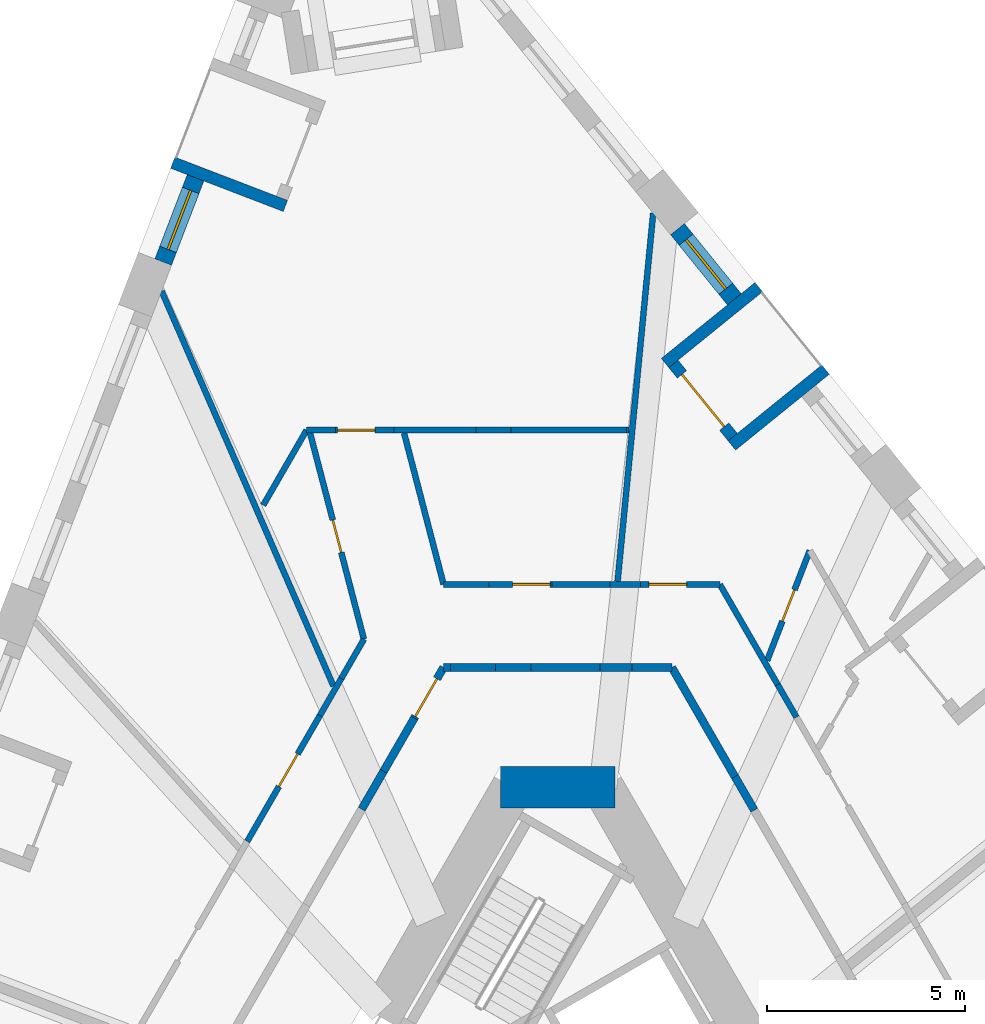
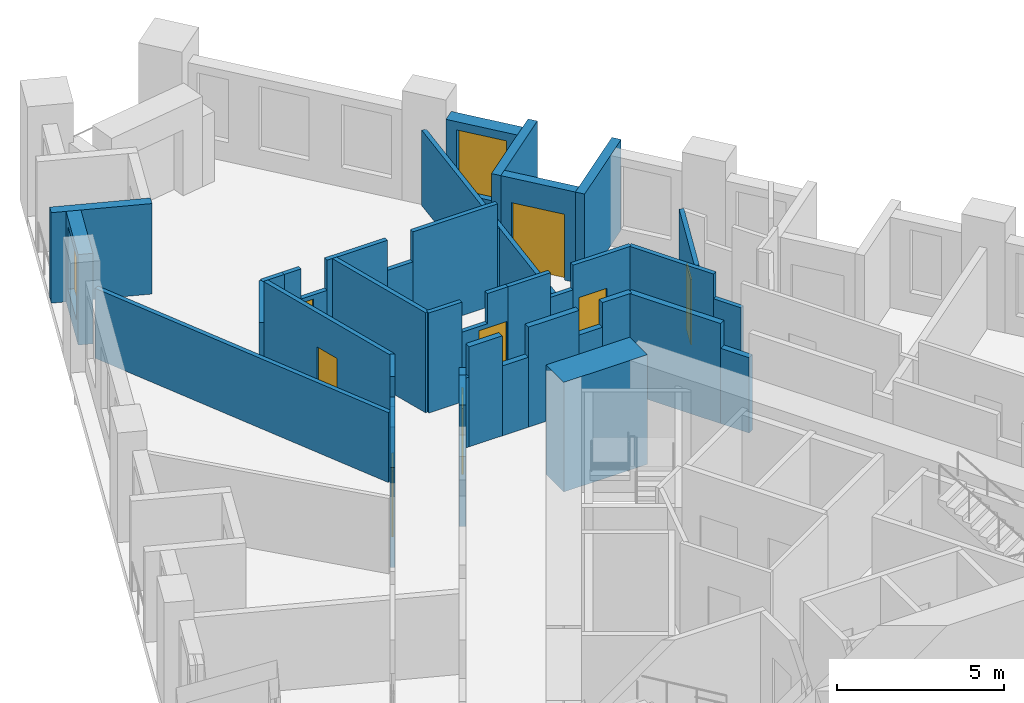
# One storey, part 8 of 13: 40 walls, 8 doors, 2 windows, 10 openings.
"""IFC4 building model written with IfcOpenShell, lengths in metres."""

from ifc_helpers import new_model, si_unit, direction, frame, frame_2d, origin, place, context, subcontext, project, spatial, polyline, rectangle, outline, extrude, material, layer, layer_set, type_object, element, fill, save


model = new_model("IFC4")

# Units and contexts
model_context = context("Model", 3, precision=1e-05, world=origin(), true_north=direction((0.0, 1.0)))
body_context = subcontext(model_context, "Body", "Model", "MODEL_VIEW")
ifc_project = project(units=[si_unit("LENGTHUNIT", "METRE"), si_unit("AREAUNIT", "SQUARE_METRE"), si_unit("VOLUMEUNIT", "CUBIC_METRE"), si_unit("PLANEANGLEUNIT", "RADIAN"), si_unit("MASSUNIT", "GRAM", prefix="KILO")], contexts=[model_context])

# Site, building, storey
site_placement = place(None, origin())
site = spatial("IfcSite", under=ifc_project, at=site_placement, CompositionType="ELEMENT")
building_placement = place(site_placement, origin())
building = spatial("IfcBuilding", under=site, at=building_placement, Name="Tramontana Tower", CompositionType="ELEMENT")
storey_placement = place(building_placement, frame((0.0, 0.0, 51.199951171875)))
storey = spatial("IfcBuildingStorey", under=building, at=storey_placement, Name="L10", CompositionType="ELEMENT", Elevation=51.199951171875)

# Walls
ifc_material_1 = material(Name="Concrete 70 MPa", Category="concrete")
ifc_layer_1 = layer(ifc_material_1, 1.050048828125)
ifc_layer_set_1 = layer_set([ifc_layer_1], Name="Core wall 1050 70 MPa")
wall_type_1 = type_object("IfcWallType", Name="Core wall 1050 70 MPa", PredefinedType="SHEAR", material=ifc_layer_set_1)
wall_1_placement = place(storey_placement, frame((1.443359375, 10.47509765625, 0.0), z_axis=(0.0, 0.0, 1.0), x_axis=(-1.0, 0.0, 0.0)))
element("IfcWall", 1, at=wall_1_placement, inside=storey, type_object=wall_type_1, Name="Core wall C0 L10", PredefinedType="SHEAR", context=body_context, shape_type="SweptSolid", body=[
    extrude(rectangle(XDim=2.88671875, YDim=1.050048828125, at=frame_2d((1.443359375, 0.0))), origin(), (0.0, 0.0, 1.0), 4.0),
])
ifc_material_2 = material(Name="Blockwork", Category="masonry")
ifc_layer_2 = layer(ifc_material_2, 0.199951171875)
ifc_layer_set_2 = layer_set([ifc_layer_2], Name="ENTRY WALL 200")
wall_type_2 = type_object("IfcWallType", Name="ENTRY WALL 200", PredefinedType="SOLIDWALL", material=ifc_layer_set_2)
wall_2_placement = place(storey_placement, frame((2.88671875, 13.5, 0.0), z_axis=(0.0, 0.0, 1.0), x_axis=(0.50003154259, -0.866007191896, 0.0)))
element("IfcWall", 2, at=wall_2_placement, inside=storey, type_object=wall_type_2, Name="Wall v10-ew0-0", PredefinedType="SOLIDWALL", context=body_context, shape_type="SweptSolid", body=[
    extrude(rectangle(XDim=3.190673828125, YDim=0.199951171875, at=frame_2d((1.59521484375, 0.0))), origin(), (0.0, 0.0, 1.0), 3.650146484375),
])
wall_3_placement = place(storey_placement, frame((4.482177734375, 10.73681640625, 0.0), z_axis=(0.0, 0.0, 1.0), x_axis=(0.499966601515, -0.86604468555, 0.0)))
element("IfcWall", 3, at=wall_3_placement, inside=storey, type_object=wall_type_2, Name="Wall v10-ew0-1", PredefinedType="SOLIDWALL", context=body_context, shape_type="SweptSolid", body=[
    extrude(rectangle(XDim=0.98095703125, YDim=0.199951171875, at=frame_2d((0.490478515625, 0.0))), origin(), (0.0, 0.0, 1.0), 2.75),
])
wall_4_placement = place(storey_placement, frame((-4.95751953125, 9.913330078125, 0.0), z_axis=(0.0, 0.0, 1.0), x_axis=(0.499951133605, 0.866053614973, 0.0)))
element("IfcWall", 4, at=wall_4_placement, inside=storey, type_object=wall_type_2, Name="Wall v10-ew4-7", PredefinedType="SOLIDWALL", context=body_context, shape_type="SweptSolid", body=[
    extrude(rectangle(XDim=1.10888671875, YDim=0.199951171875, at=frame_2d((0.554443359375, 0.0))), origin(), (0.0, 0.0, 1.0), 2.550048828125),
])
wall_5_placement = place(storey_placement, frame((-4.403076171875, 10.873779296875, 0.0), z_axis=(0.0, 0.0, 1.0), x_axis=(0.50011257031, 0.86596040153, 0.0)))
element("IfcWall", 5, at=wall_5_placement, inside=storey, type_object=wall_type_2, Name="Wall v10-ew4-8", PredefinedType="SOLIDWALL", context=body_context, shape_type="SweptSolid", body=[
    extrude(rectangle(XDim=1.552978515625, YDim=0.199951171875, at=frame_2d((0.7763671875, 0.0))), origin(), (0.0, 0.0, 1.0), 3.650146484375),
])

# Wall, opening, door
wall_6_placement = place(storey_placement, frame((-3.62646484375, 12.218505859375, 0.0), z_axis=(0.0, 0.0, 1.0), x_axis=(0.499936694431, 0.866061950187, 0.0)))
wall_6 = element("IfcWall", 6, at=wall_6_placement, inside=storey, type_object=wall_type_2, Name="Wall v10-ew4-9", PredefinedType="SOLIDWALL", context=body_context, shape_type="SweptSolid", body=[
    extrude(outline(polyline([(0.0, 0.0), (1.479736328125, 0.0), (1.4794921875, 2.550048828125), (0.4091796875, 2.550048828125), (0.4091796875, 3.650146484375), (0.0, 3.650146484375), (0.0, 0.0)])), frame((0.0, 0.10009765625, 0.0), z_axis=(0.0, -1.0, 0.0), x_axis=(1.0, 0.0, 0.0)), (0.0, 0.0, 1.0), 0.199951171875),
])
opening_1_placement = place(wall_6_placement, frame((0.050048828125, 0.0, 0.0)))
opening_1 = element("IfcOpeningElement", 7, at=opening_1_placement, cuts=wall_6, Name="Opening B1A-28", PredefinedType="OPENING", context=body_context, shape_type="SweptSolid", body=[
    extrude(rectangle(XDim=1.10009765625, YDim=2.39990234375, at=frame_2d((0.550048828125, 1.199951171875))), frame((0.0, 0.10986328125, 0.0), z_axis=(0.0, -1.0, 0.0), x_axis=(1.0, 0.0, 0.0)), (0.0, 0.0, 1.0), 0.219970703125),
])
ifc_material_3 = material(Name="Painted timber", Category="wood")
door_type_1 = type_object("IfcDoorType", Name="DOOR ENTRY 1100", OperationType="SINGLE_SWING_LEFT", PredefinedType="DOOR", material=ifc_material_3)
door_1_placement = place(opening_1_placement, origin())
door_1 = element("IfcDoor", 8, at=door_1_placement, inside=storey, type_object=door_type_1, Name="Door B1A-28", OperationType="SINGLE_SWING_RIGHT", OverallHeight=2.39990234375, OverallWidth=1.10009765625, PredefinedType="DOOR", context=body_context, shape_type="SweptSolid", body=[
    extrude(rectangle(XDim=1.10009765625, YDim=2.39990234375, at=frame_2d((0.550048828125, 1.199951171875))), frame((0.0, 0.02490234375, 0.0), z_axis=(0.0, -1.0, 0.0), x_axis=(1.0, 0.0, 0.0)), (0.0, 0.0, 1.0), 0.050048828125),
])
fill(opening_1, door_1)

# Walls
wall_7_placement = place(storey_placement, frame((-2.88671875, 13.5, 0.0), z_axis=(0.0, 0.0, 1.0), x_axis=(1.0, 0.0, 0.0)))
element("IfcWall", 9, at=wall_7_placement, inside=storey, type_object=wall_type_2, Name="Wall v10-ew5-0", PredefinedType="SOLIDWALL", context=body_context, shape_type="SweptSolid", body=[
    extrude(rectangle(XDim=0.171142578125, YDim=0.199951171875, at=frame_2d((0.08544921875, 0.0))), origin(), (0.0, 0.0, 1.0), 2.550048828125),
])
wall_8_placement = place(storey_placement, frame((-2.715576171875, 13.5, 0.0), z_axis=(0.0, 0.0, 1.0), x_axis=(1.0, 0.0, 0.0)))
element("IfcWall", 10, at=wall_8_placement, inside=storey, type_object=wall_type_2, Name="Wall v10-ew5-1", PredefinedType="SOLIDWALL", context=body_context, shape_type="SweptSolid", body=[
    extrude(rectangle(XDim=1.141357421875, YDim=0.199951171875, at=frame_2d((0.57080078125, 0.0))), origin(), (0.0, 0.0, 1.0), 3.650146484375),
])
wall_9_placement = place(storey_placement, frame((-1.57421875, 13.5, 0.0), z_axis=(0.0, 0.0, 1.0), x_axis=(1.0, 0.0, 0.0)))
element("IfcWall", 11, at=wall_9_placement, inside=storey, type_object=wall_type_2, Name="Wall v10-ew5-2", PredefinedType="SOLIDWALL", context=body_context, shape_type="SweptSolid", body=[
    extrude(rectangle(XDim=0.903076171875, YDim=0.199951171875, at=frame_2d((0.45166015625, 0.0))), origin(), (0.0, 0.0, 1.0), 2.550048828125),
])
wall_10_placement = place(storey_placement, frame((-0.671142578125, 13.5, 0.0), z_axis=(0.0, 0.0, 1.0), x_axis=(1.0, 0.0, 0.0)))
element("IfcWall", 12, at=wall_10_placement, inside=storey, type_object=wall_type_2, Name="Wall v10-ew5-3", PredefinedType="SOLIDWALL", context=body_context, shape_type="SweptSolid", body=[
    extrude(rectangle(XDim=1.745361328125, YDim=0.199951171875, at=frame_2d((0.87255859375, 0.0))), origin(), (0.0, 0.0, 1.0), 3.650146484375),
])
wall_11_placement = place(storey_placement, frame((1.07421875, 13.5, 0.0), z_axis=(0.0, 0.0, 1.0), x_axis=(1.0, 0.0, 0.0)))
element("IfcWall", 13, at=wall_11_placement, inside=storey, type_object=wall_type_2, Name="Wall v10-ew5-4", PredefinedType="SOLIDWALL", context=body_context, shape_type="SweptSolid", body=[
    extrude(rectangle(XDim=0.804931640625, YDim=0.199951171875, at=frame_2d((0.40234375, 0.0))), origin(), (0.0, 0.0, 1.0), 2.75),
])
wall_12_placement = place(storey_placement, frame((1.879150390625, 13.5, 0.0), z_axis=(0.0, 0.0, 1.0), x_axis=(1.0, 0.0, 0.0)))
element("IfcWall", 14, at=wall_12_placement, inside=storey, type_object=wall_type_2, Name="Wall v10-ew5-5", PredefinedType="SOLIDWALL", context=body_context, shape_type="SweptSolid", body=[
    extrude(rectangle(XDim=1.007568359375, YDim=0.199951171875, at=frame_2d((0.50390625, 0.0))), origin(), (0.0, 0.0, 1.0), 3.650146484375),
])

# Wall, opening, window
ifc_material_4 = material(Name="Precast concrete 60 MPa", Category="concrete")
ifc_layer_3 = layer(ifc_material_4, 0.449951171875)
ifc_layer_set_3 = layer_set([ifc_layer_3], Name="Precast concrete 60 MPa, 450 mm")
wall_type_3 = type_object("IfcWallType", Name="EW1 Stone-faced precast wall 450", PredefinedType="SOLIDWALL", material=ifc_layer_set_3)
wall_13_placement = place(storey_placement, frame((-9.157958984375, 25.8818359375, 0.0), z_axis=(0.0, 0.0, 1.0), x_axis=(-0.358355550725, -0.933585185864, 0.0)))
wall_13 = element("IfcWall", 15, at=wall_13_placement, inside=storey, type_object=wall_type_3, Name="External wall L10 face 0 bay 1", PredefinedType="SOLIDWALL", context=body_context, shape_type="SweptSolid", body=[
    extrude(rectangle(XDim=2.282958984375, YDim=0.449951171875, at=frame_2d((1.1416015625, 0.0))), origin(), (0.0, 0.0, 1.0), 3.300048828125),
])
opening_2_placement = place(wall_13_placement, frame((0.341552734375, 0.0, 0.699951171875)))
opening_2 = element("IfcOpeningElement", 16, at=opening_2_placement, cuts=wall_13, Name="Opening M1", PredefinedType="OPENING", context=body_context, shape_type="SweptSolid", body=[
    extrude(rectangle(XDim=1.60009765625, YDim=2.300048828125, at=frame_2d((0.800048828125, 1.14990234375))), frame((0.0, 0.23486328125, 0.0), z_axis=(0.0, -1.0, 0.0), x_axis=(1.0, 0.0, 0.0)), (0.0, 0.0, 1.0), 0.469970703125),
])
ifc_material_5 = material(Name="Aluminum frame, double glazing unit", Category="aluminium")
window_type = type_object("IfcWindowType", Name="M1 Window 1.6 x 2.3", PartitioningType="SINGLE_PANEL", PredefinedType="WINDOW", material=ifc_material_5)
window_1_placement = place(opening_2_placement, origin())
window_1 = element("IfcWindow", 17, at=window_1_placement, inside=storey, type_object=window_type, Name="Window M1 L10 face 0 module 3", OverallHeight=2.300048828125, OverallWidth=1.60009765625, PartitioningType="SINGLE_PANEL", PredefinedType="WINDOW", context=body_context, shape_type="SweptSolid", body=[
    extrude(rectangle(XDim=1.60009765625, YDim=2.300048828125, at=frame_2d((0.800048828125, 1.14990234375))), frame((0.0, 0.030029296875, 0.0), z_axis=(0.0, -1.0, 0.0), x_axis=(1.0, 0.0, 0.0)), (0.0, 0.0, 1.0), 0.06005859375),
])
fill(opening_2, window_1)

wall_14_placement = place(storey_placement, frame((4.46630859375, 22.80859375, 0.0), z_axis=(0.0, 0.0, 1.0), x_axis=(-0.629275139402, 0.777182603337, 0.0)))
wall_14 = element("IfcWall", 18, at=wall_14_placement, inside=storey, type_object=wall_type_3, Name="External wall L10 face 2 bay 5", PredefinedType="SOLIDWALL", context=body_context, shape_type="SweptSolid", body=[
    extrude(rectangle(XDim=2.28271484375, YDim=0.449951171875, at=frame_2d((1.141357421875, 0.0))), origin(), (0.0, 0.0, 1.0), 3.300048828125),
])
opening_3_placement = place(wall_14_placement, frame((0.341552734375, 0.0, 0.699951171875)))
opening_3 = element("IfcOpeningElement", 19, at=opening_3_placement, cuts=wall_14, Name="Opening M1", PredefinedType="OPENING", context=body_context, shape_type="SweptSolid", body=[
    extrude(rectangle(XDim=1.60009765625, YDim=2.300048828125, at=frame_2d((0.800048828125, 1.14990234375))), frame((0.0, 0.23486328125, 0.0), z_axis=(0.0, -1.0, 0.0), x_axis=(1.0, 0.0, 0.0)), (0.0, 0.0, 1.0), 0.469970703125),
])
window_2_placement = place(opening_3_placement, origin())
window_2 = element("IfcWindow", 20, at=window_2_placement, inside=storey, type_object=window_type, Name="Window M1 L10 face 2 module 15", OverallHeight=2.300048828125, OverallWidth=1.60009765625, PartitioningType="SINGLE_PANEL", PredefinedType="WINDOW", context=body_context, shape_type="SweptSolid", body=[
    extrude(rectangle(XDim=1.60009765625, YDim=2.300048828125, at=frame_2d((0.800048828125, 1.14990234375))), frame((0.0, 0.030029296875, 0.0), z_axis=(0.0, -1.0, 0.0), x_axis=(1.0, 0.0, 0.0)), (0.0, 0.0, 1.0), 0.06005859375),
])
fill(opening_3, window_2)

# Wall
ifc_material_6 = material(Name="Precast concrete 60 MPa", Category="concrete")
ifc_layer_4 = layer(ifc_material_6, 0.300048828125)
ifc_layer_set_4 = layer_set([ifc_layer_4], Name="LW1 Stone-faced loggia wall 300")
wall_type_4 = type_object("IfcWallType", Name="LW1 Stone-faced loggia wall 300", PredefinedType="SOLIDWALL", material=ifc_layer_set_4)
wall_15_placement = place(storey_placement, frame((-9.734375, 26.263671875, 0.0), z_axis=(0.0, 0.0, 1.0), x_axis=(0.933580593625, -0.358367514161, 0.0)))
element("IfcWall", 21, at=wall_15_placement, inside=storey, type_object=wall_type_4, Name="Loggia return L10 G1S0.1b", PredefinedType="SOLIDWALL", context=body_context, shape_type="SweptSolid", body=[
    extrude(rectangle(XDim=3.050048828125, YDim=0.300048828125, at=frame_2d((1.52490234375, 0.0))), origin(), (0.0, 0.0, 1.0), 3.300048828125),
])

# Wall, opening, door
wall_16_placement = place(storey_placement, frame((4.42578125, 19.323486328125, 0.0), z_axis=(0.0, 0.0, 1.0), x_axis=(-0.629369155682, 0.777106470103, 0.0)))
wall_16 = element("IfcWall", 22, at=wall_16_placement, inside=storey, type_object=wall_type_4, Name="Loggia wall L10 G1S2.13", PredefinedType="SOLIDWALL", context=body_context, shape_type="SweptSolid", body=[
    extrude(rectangle(XDim=2.383056640625, YDim=0.300048828125, at=frame_2d((1.19140625, 0.0))), origin(), (0.0, 0.0, 1.0), 3.300048828125),
])
opening_4_placement = place(wall_16_placement, frame((0.341552734375, 0.0, 0.0)))
opening_4 = element("IfcOpeningElement", 23, at=opening_4_placement, cuts=wall_16, Name="Opening BD-1S2-13", PredefinedType="OPENING", context=body_context, shape_type="SweptSolid", body=[
    extrude(rectangle(XDim=1.699951171875, YDim=2.39990234375, at=frame_2d((0.85009765625, 1.199951171875))), frame((0.0, 0.159912109375, 0.0), z_axis=(0.0, -1.0, 0.0), x_axis=(1.0, 0.0, 0.0)), (0.0, 0.0, 1.0), 0.320068359375),
])
ifc_material_7 = material(Name="Aluminum frame, double glazing unit", Category="aluminium")
door_type_2 = type_object("IfcDoorType", Name="BD1 Sliding door 1.7 x 2.4", OperationType="SLIDING_TO_LEFT", PredefinedType="DOOR", material=ifc_material_7)
door_2_placement = place(opening_4_placement, origin())
door_2 = element("IfcDoor", 24, at=door_2_placement, inside=storey, type_object=door_type_2, Name="Loggia door L10 G1S2.13", OperationType="SLIDING_TO_LEFT", OverallHeight=2.39990234375, OverallWidth=1.699951171875, PredefinedType="DOOR", context=body_context, shape_type="SweptSolid", body=[
    extrude(rectangle(XDim=1.699951171875, YDim=2.39990234375, at=frame_2d((0.85009765625, 1.199951171875))), frame((0.0, 0.02490234375, 0.0), z_axis=(0.0, -1.0, 0.0), x_axis=(1.0, 0.0, 0.0)), (0.0, 0.0, 1.0), 0.050048828125),
])
fill(opening_4, door_2)

# Walls
for number, where, z_axis, x_axis, name in (
    (25, (6.77392578125, 21.03173828125, 0.0), (0.0, 0.0, 1.0), (-0.777153523895, -0.629311052102, 0.0), "Loggia return L10 G1S2.13a"),
    (26, (5.08544921875, 23.116943359375, 0.0), (0.0, 0.0, 1.0), (-0.777153523895, -0.629311052102, 0.0), "Loggia return L10 G1S2.13b"),
):
    element("IfcWall", number, at=place(storey_placement, frame(where, z_axis=z_axis, x_axis=x_axis)), inside=storey, type_object=wall_type_4, Name=name, PredefinedType="SOLIDWALL", context=body_context, shape_type="SweptSolid", body=[
        extrude(rectangle(XDim=3.050048828125, YDim=0.300048828125, at=frame_2d((1.52490234375, 0.0))), origin(), (0.0, 0.0, 1.0), 3.300048828125),
    ])
ifc_material_8 = material(Name="Gypsum board partition")
ifc_layer_5 = layer(ifc_material_8, 0.14990234375)
ifc_layer_set_5 = layer_set([ifc_layer_5], Name="PARTITION 150")
wall_type_5 = type_object("IfcWallType", Name="PARTITION 150", PredefinedType="PARTITIONING", material=ifc_layer_set_5)
wall_17_placement = place(storey_placement, frame((-7.446533203125, 17.60205078125, 0.0), z_axis=(0.0, 0.0, 1.0), x_axis=(0.499973180286, 0.8660408876, 0.0)))
element("IfcWall", 27, at=wall_17_placement, inside=storey, type_object=wall_type_5, Name="Wall v10-pw13-1", PredefinedType="PARTITIONING", context=body_context, shape_type="SweptSolid", body=[
    extrude(rectangle(XDim=2.19140625, YDim=0.14990234375, at=frame_2d((1.095703125, 0.0))), origin(), (0.0, 0.0, 1.0), 3.650146484375),
])
wall_18_placement = place(storey_placement, frame((-6.350830078125, 19.5, 0.0), z_axis=(0.0, 0.0, 1.0), x_axis=(1.0, 0.0, 0.0)))
element("IfcWall", 28, at=wall_18_placement, inside=storey, type_object=wall_type_5, Name="Wall v10-pw14-0", PredefinedType="PARTITIONING", context=body_context, shape_type="SweptSolid", body=[
    extrude(rectangle(XDim=0.73388671875, YDim=0.14990234375, at=frame_2d((0.366943359375, 0.0))), origin(), (0.0, 0.0, 1.0), 3.650146484375),
])

# Wall, opening, door
wall_19_placement = place(storey_placement, frame((-5.616943359375, 19.5, 0.0), z_axis=(0.0, 0.0, 1.0), x_axis=(1.0, 0.0, 0.0)))
wall_19 = element("IfcWall", 29, at=wall_19_placement, inside=storey, type_object=wall_type_5, Name="Wall v10-pw14-1", PredefinedType="PARTITIONING", context=body_context, shape_type="SweptSolid", body=[
    extrude(outline(polyline([(0.0, 0.0), (1.476318359375, 0.0), (1.476318359375, 2.550048828125), (0.577392578125, 2.550048828125), (0.577392578125, 3.650146484375), (0.0, 3.650146484375), (0.0, 0.0)])), frame((0.0, 0.074951171875, 0.0), z_axis=(0.0, -1.0, 0.0), x_axis=(1.0, 0.0, 0.0)), (0.0, 0.0, 1.0), 0.14990234375),
])
opening_5_placement = place(wall_19_placement, frame((0.050048828125, 0.0, 0.0)))
opening_5 = element("IfcOpeningElement", 30, at=opening_5_placement, cuts=wall_19, Name="Opening B1A-03", PredefinedType="OPENING", context=body_context, shape_type="SweptSolid", body=[
    extrude(rectangle(XDim=0.949951171875, YDim=2.39990234375, at=frame_2d((0.47509765625, 1.199951171875))), frame((0.0, 0.0849609375, 0.0), z_axis=(0.0, -1.0, 0.0), x_axis=(1.0, 0.0, 0.0)), (0.0, 0.0, 1.0), 0.169921875),
])
ifc_material_9 = material(Name="Painted timber", Category="wood")
door_type_3 = type_object("IfcDoorType", Name="DOOR ROOM 950", OperationType="SINGLE_SWING_LEFT", PredefinedType="DOOR", material=ifc_material_9)
door_3_placement = place(opening_5_placement, origin())
door_3 = element("IfcDoor", 31, at=door_3_placement, inside=storey, type_object=door_type_3, Name="Door B1A-03", OperationType="SINGLE_SWING_LEFT", OverallHeight=2.39990234375, OverallWidth=0.949951171875, PredefinedType="DOOR", context=body_context, shape_type="SweptSolid", body=[
    extrude(rectangle(XDim=0.949951171875, YDim=2.39990234375, at=frame_2d((0.47509765625, 1.199951171875))), frame((0.0, 0.02490234375, 0.0), z_axis=(0.0, -1.0, 0.0), x_axis=(1.0, 0.0, 0.0)), (0.0, 0.0, 1.0), 0.050048828125),
])
fill(opening_5, door_3)

# Walls
wall_20_placement = place(storey_placement, frame((-4.140625, 19.5, 0.0), z_axis=(0.0, 0.0, 1.0), x_axis=(1.0, 0.0, 0.0)))
element("IfcWall", 32, at=wall_20_placement, inside=storey, type_object=wall_type_5, Name="Wall v10-pw14-2", PredefinedType="PARTITIONING", context=body_context, shape_type="SweptSolid", body=[
    extrude(rectangle(XDim=2.079833984375, YDim=0.14990234375, at=frame_2d((1.0400390625, 0.0))), origin(), (0.0, 0.0, 1.0), 3.650146484375),
])
wall_21_placement = place(storey_placement, frame((-2.060791015625, 19.5, 0.0), z_axis=(0.0, 0.0, 1.0), x_axis=(1.0, 0.0, 0.0)))
element("IfcWall", 33, at=wall_21_placement, inside=storey, type_object=wall_type_5, Name="Wall v10-pw14-3", PredefinedType="PARTITIONING", context=body_context, shape_type="SweptSolid", body=[
    extrude(rectangle(XDim=0.878173828125, YDim=0.14990234375, at=frame_2d((0.43896484375, 0.0))), origin(), (0.0, 0.0, 1.0), 2.550048828125),
])
wall_22_placement = place(storey_placement, frame((-1.1826171875, 19.5, 0.0), z_axis=(0.0, 0.0, 1.0), x_axis=(1.0, 0.0, 0.0)))
element("IfcWall", 34, at=wall_22_placement, inside=storey, type_object=wall_type_5, Name="Wall v10-pw14-4", PredefinedType="PARTITIONING", context=body_context, shape_type="SweptSolid", body=[
    extrude(rectangle(XDim=2.92578125, YDim=0.14990234375, at=frame_2d((1.462890625, 0.0))), origin(), (0.0, 0.0, 1.0), 3.650146484375),
])
wall_23_placement = place(storey_placement, frame((1.7431640625, 19.5, 0.0), z_axis=(0.0, 0.0, 1.0), x_axis=(1.0, 0.0, 0.0)))
element("IfcWall", 35, at=wall_23_placement, inside=storey, type_object=wall_type_5, Name="Wall v10-pw14-5", PredefinedType="PARTITIONING", context=body_context, shape_type="SweptSolid", body=[
    extrude(rectangle(XDim=0.065673828125, YDim=0.14990234375, at=frame_2d((0.03271484375, 0.0))), origin(), (0.0, 0.0, 1.0), 2.75),
])
wall_24_placement = place(storey_placement, frame((-5.670166015625, 13.02880859375, 0.0), z_axis=(0.0, 0.0, 1.0), x_axis=(-0.399074402335, 0.916918546764, 0.0)))
element("IfcWall", 36, at=wall_24_placement, inside=storey, type_object=wall_type_5, Name="Wall v10-pw15-0", PredefinedType="PARTITIONING", context=body_context, shape_type="SweptSolid", body=[
    extrude(rectangle(XDim=10.892578125, YDim=0.14990234375, at=frame_2d((5.4462890625, 0.0))), origin(), (0.0, 0.0, 1.0), 2.550048828125),
])
wall_25_placement = place(storey_placement, frame((-4.900146484375, 14.212646484375, 0.0), z_axis=(0.0, 0.0, 1.0), x_axis=(-0.500078876233, -0.86597985978, 0.0)))
element("IfcWall", 37, at=wall_25_placement, inside=storey, type_object=wall_type_5, Name="Wall v10-pw16-0", PredefinedType="PARTITIONING", context=body_context, shape_type="SweptSolid", body=[
    extrude(rectangle(XDim=1.146240234375, YDim=0.14990234375, at=frame_2d((0.5732421875, 0.0))), origin(), (0.0, 0.0, 1.0), 3.650146484375),
])
wall_26_placement = place(storey_placement, frame((-5.473388671875, 13.219970703125, 0.0), z_axis=(0.0, 0.0, 1.0), x_axis=(-0.499938053331, -0.866061165757, 0.0)))
element("IfcWall", 38, at=wall_26_placement, inside=storey, type_object=wall_type_5, Name="Wall v10-pw16-1", PredefinedType="PARTITIONING", context=body_context, shape_type="SweptSolid", body=[
    extrude(rectangle(XDim=1.078369140625, YDim=0.14990234375, at=frame_2d((0.5390625, 0.0))), origin(), (0.0, 0.0, 1.0), 2.550048828125),
])

# Wall, opening, door
wall_27_placement = place(storey_placement, frame((-7.85107421875, 9.1015625, 0.0), z_axis=(0.0, 0.0, 1.0), x_axis=(0.500002145574, 0.866024165033, 0.0)))
wall_27 = element("IfcWall", 39, at=wall_27_placement, inside=storey, type_object=wall_type_5, Name="Wall v10-pw16-2", PredefinedType="PARTITIONING", context=body_context, shape_type="SweptSolid", body=[
    extrude(rectangle(XDim=3.67724609375, YDim=0.14990234375, at=frame_2d((1.838623046875, 0.0))), origin(), (0.0, 0.0, 1.0), 3.650146484375),
])
opening_6_placement = place(wall_27_placement, frame((1.603515625, 0.0, 0.0)))
opening_6 = element("IfcOpeningElement", 40, at=opening_6_placement, cuts=wall_27, Name="Opening B1A-06", PredefinedType="OPENING", context=body_context, shape_type="SweptSolid", body=[
    extrude(rectangle(XDim=0.949951171875, YDim=2.39990234375, at=frame_2d((0.47509765625, 1.199951171875))), frame((0.0, 0.0849609375, 0.0), z_axis=(0.0, -1.0, 0.0), x_axis=(1.0, 0.0, 0.0)), (0.0, 0.0, 1.0), 0.169921875),
])
door_4_placement = place(opening_6_placement, origin())
door_4 = element("IfcDoor", 41, at=door_4_placement, inside=storey, type_object=door_type_3, Name="Door B1A-06", OperationType="SINGLE_SWING_RIGHT", OverallHeight=2.39990234375, OverallWidth=0.949951171875, PredefinedType="DOOR", context=body_context, shape_type="SweptSolid", body=[
    extrude(rectangle(XDim=0.949951171875, YDim=2.39990234375, at=frame_2d((0.47509765625, 1.199951171875))), frame((0.0, 0.02490234375, 0.0), z_axis=(0.0, -1.0, 0.0), x_axis=(1.0, 0.0, 0.0)), (0.0, 0.0, 1.0), 0.050048828125),
])
fill(opening_6, door_4)

wall_28_placement = place(storey_placement, frame((-4.900146484375, 14.212646484375, 0.0), z_axis=(0.0, 0.0, 1.0), x_axis=(-0.25265249466, 0.967557087175, 0.0)))
wall_28 = element("IfcWall", 42, at=wall_28_placement, inside=storey, type_object=wall_type_5, Name="Wall v10-pw17", PredefinedType="PARTITIONING", context=body_context, shape_type="SweptSolid", body=[
    extrude(rectangle(XDim=5.38720703125, YDim=0.14990234375, at=frame_2d((2.693603515625, 0.0))), origin(), (0.0, 0.0, 1.0), 3.650146484375),
])
opening_7_placement = place(wall_28_placement, frame((2.2685546875, 0.0, 0.0)))
opening_7 = element("IfcOpeningElement", 43, at=opening_7_placement, cuts=wall_28, Name="Opening B1A-02", PredefinedType="OPENING", context=body_context, shape_type="SweptSolid", body=[
    extrude(rectangle(XDim=0.85009765625, YDim=2.39990234375, at=frame_2d((0.425048828125, 1.199951171875))), frame((0.0, 0.0849609375, 0.0), z_axis=(0.0, -1.0, 0.0), x_axis=(1.0, 0.0, 0.0)), (0.0, 0.0, 1.0), 0.169921875),
])
ifc_material_10 = material(Name="Painted timber", Category="wood")
door_type_4 = type_object("IfcDoorType", Name="DOOR BATH 850", OperationType="SINGLE_SWING_LEFT", PredefinedType="DOOR", material=ifc_material_10)
door_5_placement = place(opening_7_placement, origin())
door_5 = element("IfcDoor", 44, at=door_5_placement, inside=storey, type_object=door_type_4, Name="Door B1A-02", OperationType="SINGLE_SWING_RIGHT", OverallHeight=2.39990234375, OverallWidth=0.85009765625, PredefinedType="DOOR", context=body_context, shape_type="SweptSolid", body=[
    extrude(rectangle(XDim=0.85009765625, YDim=2.39990234375, at=frame_2d((0.425048828125, 1.199951171875))), frame((0.0, 0.02490234375, 0.0), z_axis=(0.0, -1.0, 0.0), x_axis=(1.0, 0.0, 0.0)), (0.0, 0.0, 1.0), 0.050048828125),
])
fill(opening_7, door_5)

# Walls
wall_29_placement = place(storey_placement, frame((-3.88427734375, 19.425048828125, 0.0), z_axis=(0.0, 0.0, 1.0), x_axis=(0.252708480958, -0.967542466072, 0.0)))
element("IfcWall", 45, at=wall_29_placement, inside=storey, type_object=wall_type_5, Name="Wall v10-pw18", PredefinedType="PARTITIONING", context=body_context, shape_type="SweptSolid", body=[
    extrude(rectangle(XDim=3.953369140625, YDim=0.14990234375, at=frame_2d((1.9765625, 0.0))), origin(), (0.0, 0.0, 1.0), 3.650146484375),
])
wall_30_placement = place(storey_placement, frame((-2.88525390625, 15.60009765625, 0.0), z_axis=(0.0, 0.0, 1.0), x_axis=(1.0, 0.0, 0.0)))
element("IfcWall", 46, at=wall_30_placement, inside=storey, type_object=wall_type_5, Name="Wall v10-pw20-0", PredefinedType="PARTITIONING", context=body_context, shape_type="SweptSolid", body=[
    extrude(rectangle(XDim=1.14892578125, YDim=0.14990234375, at=frame_2d((0.574462890625, 0.0))), origin(), (0.0, 0.0, 1.0), 3.650146484375),
])

# Wall, opening, door
wall_31_placement = place(storey_placement, frame((-1.736328125, 15.60009765625, 0.0), z_axis=(0.0, 0.0, 1.0), x_axis=(1.0, 0.0, 0.0)))
wall_31 = element("IfcWall", 47, at=wall_31_placement, inside=storey, type_object=wall_type_5, Name="Wall v10-pw20-1", PredefinedType="PARTITIONING", context=body_context, shape_type="SweptSolid", body=[
    extrude(outline(polyline([(0.0, 0.0), (1.59375, 0.0), (1.593994140625, 3.650146484375), (0.8779296875, 3.650146484375), (0.8779296875, 2.550048828125), (0.0, 2.550048828125), (0.0, 0.0)])), frame((0.0, 0.074951171875, 0.0), z_axis=(0.0, -1.0, 0.0), x_axis=(1.0, 0.0, 0.0)), (0.0, 0.0, 1.0), 0.14990234375),
])
opening_8_placement = place(wall_31_placement, frame((0.593994140625, 0.0, 0.0)))
opening_8 = element("IfcOpeningElement", 48, at=opening_8_placement, cuts=wall_31, Name="Opening B1A-01", PredefinedType="OPENING", context=body_context, shape_type="SweptSolid", body=[
    extrude(rectangle(XDim=0.949951171875, YDim=2.39990234375, at=frame_2d((0.47509765625, 1.199951171875))), frame((0.0, 0.0849609375, 0.0), z_axis=(0.0, -1.0, 0.0), x_axis=(1.0, 0.0, 0.0)), (0.0, 0.0, 1.0), 0.169921875),
])
door_6_placement = place(opening_8_placement, origin())
door_6 = element("IfcDoor", 49, at=door_6_placement, inside=storey, type_object=door_type_3, Name="Door B1A-01", OperationType="SINGLE_SWING_LEFT", OverallHeight=2.39990234375, OverallWidth=0.949951171875, PredefinedType="DOOR", context=body_context, shape_type="SweptSolid", body=[
    extrude(rectangle(XDim=0.949951171875, YDim=2.39990234375, at=frame_2d((0.47509765625, 1.199951171875))), frame((0.0, 0.02490234375, 0.0), z_axis=(0.0, -1.0, 0.0), x_axis=(1.0, 0.0, 0.0)), (0.0, 0.0, 1.0), 0.050048828125),
])
fill(opening_8, door_6)

# Walls
wall_32_placement = place(storey_placement, frame((-0.142578125, 15.60009765625, 0.0), z_axis=(0.0, 0.0, 1.0), x_axis=(1.0, 0.0, 0.0)))
element("IfcWall", 50, at=wall_32_placement, inside=storey, type_object=wall_type_5, Name="Wall v10-pw20-2", PredefinedType="PARTITIONING", context=body_context, shape_type="SweptSolid", body=[
    extrude(rectangle(XDim=1.459228515625, YDim=0.14990234375, at=frame_2d((0.7294921875, 0.0))), origin(), (0.0, 0.0, 1.0), 3.650146484375),
])
wall_33_placement = place(storey_placement, frame((1.316650390625, 15.60009765625, 0.0), z_axis=(0.0, 0.0, 1.0), x_axis=(1.0, 0.0, 0.0)))
element("IfcWall", 51, at=wall_33_placement, inside=storey, type_object=wall_type_5, Name="Wall v10-pw20-3", PredefinedType="PARTITIONING", context=body_context, shape_type="SweptSolid", body=[
    extrude(rectangle(XDim=0.779541015625, YDim=0.14990234375, at=frame_2d((0.3896484375, 0.0))), origin(), (0.0, 0.0, 1.0), 2.75),
])

# Wall, opening, door
wall_34_placement = place(storey_placement, frame((2.09619140625, 15.60009765625, 0.0), z_axis=(0.0, 0.0, 1.0), x_axis=(1.0, 0.0, 0.0)))
wall_34 = element("IfcWall", 52, at=wall_34_placement, inside=storey, type_object=wall_type_5, Name="Wall v10-pw20-4", PredefinedType="PARTITIONING", context=body_context, shape_type="SweptSolid", body=[
    extrude(rectangle(XDim=2.0029296875, YDim=0.14990234375, at=frame_2d((1.00146484375, 0.0))), origin(), (0.0, 0.0, 1.0), 3.650146484375),
])
opening_9_placement = place(wall_34_placement, frame((0.210693359375, 0.0, 0.0)))
opening_9 = element("IfcOpeningElement", 53, at=opening_9_placement, cuts=wall_34, Name="Opening B1A-04", PredefinedType="OPENING", context=body_context, shape_type="SweptSolid", body=[
    extrude(rectangle(XDim=0.949951171875, YDim=2.39990234375, at=frame_2d((0.47509765625, 1.199951171875))), frame((0.0, 0.0849609375, 0.0), z_axis=(0.0, -1.0, 0.0), x_axis=(1.0, 0.0, 0.0)), (0.0, 0.0, 1.0), 0.169921875),
])
door_7_placement = place(opening_9_placement, origin())
door_7 = element("IfcDoor", 54, at=door_7_placement, inside=storey, type_object=door_type_3, Name="Door B1A-04", OperationType="SINGLE_SWING_RIGHT", OverallHeight=2.39990234375, OverallWidth=0.949951171875, PredefinedType="DOOR", context=body_context, shape_type="SweptSolid", body=[
    extrude(rectangle(XDim=0.949951171875, YDim=2.39990234375, at=frame_2d((0.47509765625, 1.199951171875))), frame((0.0, 0.02490234375, 0.0), z_axis=(0.0, -1.0, 0.0), x_axis=(1.0, 0.0, 0.0)), (0.0, 0.0, 1.0), 0.050048828125),
])
fill(opening_9, door_7)

# Walls
wall_35_placement = place(storey_placement, frame((2.414306640625, 24.9853515625, 0.0), z_axis=(0.0, 0.0, 1.0), x_axis=(-0.096182387121, -0.995363726689, 0.0)))
element("IfcWall", 55, at=wall_35_placement, inside=storey, type_object=wall_type_5, Name="Wall v10-pw22-0", PredefinedType="PARTITIONING", context=body_context, shape_type="SweptSolid", body=[
    extrude(rectangle(XDim=9.353759765625, YDim=0.14990234375, at=frame_2d((4.6767578125, 0.0))), origin(), (0.0, 0.0, 1.0), 2.75),
])
wall_36_placement = place(storey_placement, frame((4.09912109375, 15.60009765625, 0.0), z_axis=(0.0, 0.0, 1.0), x_axis=(0.500013600279, -0.866017551517, 0.0)))
element("IfcWall", 56, at=wall_36_placement, inside=storey, type_object=wall_type_5, Name="Wall v10-pw23-0", PredefinedType="PARTITIONING", context=body_context, shape_type="SweptSolid", body=[
    extrude(rectangle(XDim=2.927734375, YDim=0.14990234375, at=frame_2d((1.4638671875, 0.0))), origin(), (0.0, 0.0, 1.0), 3.650146484375),
])
wall_37_placement = place(storey_placement, frame((5.56298828125, 13.064697265625, 0.0), z_axis=(0.0, 0.0, 1.0), x_axis=(0.500033686847, -0.8660059538, 0.0)))
element("IfcWall", 57, at=wall_37_placement, inside=storey, type_object=wall_type_5, Name="Wall v10-pw23-1", PredefinedType="PARTITIONING", context=body_context, shape_type="SweptSolid", body=[
    extrude(rectangle(XDim=0.95068359375, YDim=0.14990234375, at=frame_2d((0.475341796875, 0.0))), origin(), (0.0, 0.0, 1.0), 2.75),
])

# Wall, opening, door
wall_38_placement = place(storey_placement, frame((6.373046875, 16.454833984375, 0.0), z_axis=(0.0, 0.0, 1.0), x_axis=(-0.361113609809, -0.932521828597, 0.0)))
wall_38 = element("IfcWall", 58, at=wall_38_placement, inside=storey, type_object=wall_type_5, Name="Wall v10-pw24", PredefinedType="PARTITIONING", context=body_context, shape_type="SweptSolid", body=[
    extrude(rectangle(XDim=2.980224609375, YDim=0.14990234375, at=frame_2d((1.490234375, 0.0))), origin(), (0.0, 0.0, 1.0), 3.650146484375),
])
opening_10_placement = place(wall_38_placement, frame((1.065185546875, 0.0, 0.0)))
opening_10 = element("IfcOpeningElement", 59, at=opening_10_placement, cuts=wall_38, Name="Opening B1A-08", PredefinedType="OPENING", context=body_context, shape_type="SweptSolid", body=[
    extrude(rectangle(XDim=0.85009765625, YDim=2.39990234375, at=frame_2d((0.425048828125, 1.199951171875))), frame((0.0, 0.0849609375, 0.0), z_axis=(0.0, -1.0, 0.0), x_axis=(1.0, 0.0, 0.0)), (0.0, 0.0, 1.0), 0.169921875),
])
door_8_placement = place(opening_10_placement, origin())
door_8 = element("IfcDoor", 60, at=door_8_placement, inside=storey, type_object=door_type_4, Name="Door B1A-08", OperationType="SINGLE_SWING_RIGHT", OverallHeight=2.39990234375, OverallWidth=0.85009765625, PredefinedType="DOOR", context=body_context, shape_type="SweptSolid", body=[
    extrude(rectangle(XDim=0.85009765625, YDim=2.39990234375, at=frame_2d((0.425048828125, 1.199951171875))), frame((0.0, 0.02490234375, 0.0), z_axis=(0.0, -1.0, 0.0), x_axis=(1.0, 0.0, 0.0)), (0.0, 0.0, 1.0), 0.050048828125),
])
fill(opening_10, door_8)

save(model, "model.ifc")
